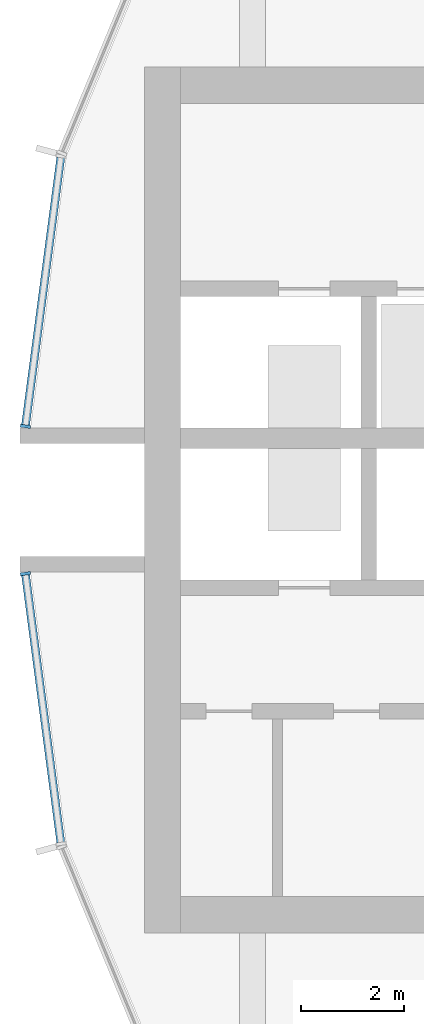
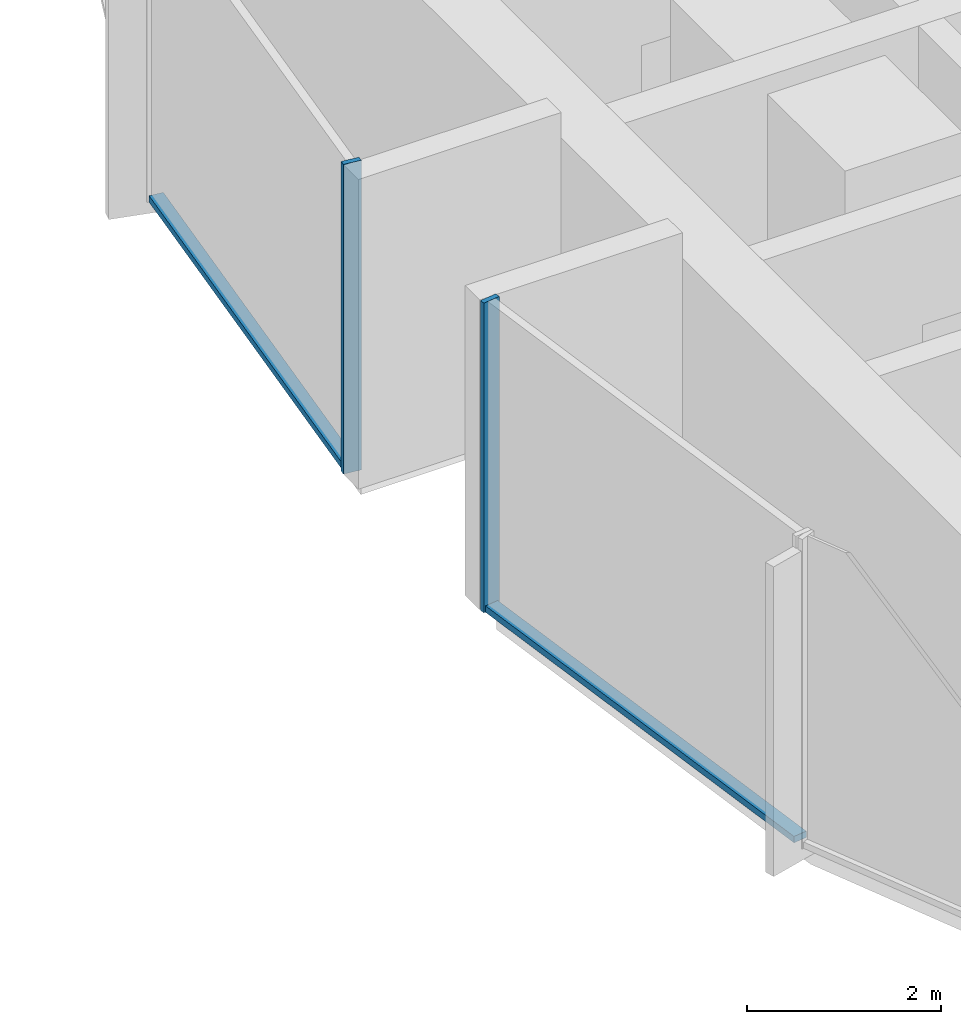
# One storey, part 3 of 15: 4 members, 2 elements without a shape of their own.
"""IFC4 building model written with IfcOpenShell, lengths in metres."""

from ifc_helpers import new_model, si_unit, direction, frame, origin, origin_2d, place, context, subcontext, project, spatial, rectangle, extrude, material, layer, layer_set, material_profile, profile_set, type_object, element, aggregate, save


model = new_model("IFC4")

# Units and contexts
model_context = context("Model", 3, precision=1e-05, world=origin(), true_north=direction((0.0, 1.0)))
body_context = subcontext(model_context, "Body", "Model", "MODEL_VIEW")
ifc_project = project(units=[si_unit("LENGTHUNIT", "METRE"), si_unit("AREAUNIT", "SQUARE_METRE"), si_unit("VOLUMEUNIT", "CUBIC_METRE"), si_unit("PLANEANGLEUNIT", "RADIAN"), si_unit("MASSUNIT", "GRAM", prefix="KILO")], contexts=[model_context])

# Site, building, storey
site_placement = place(None, origin())
site = spatial("IfcSite", under=ifc_project, at=site_placement, CompositionType="ELEMENT")
building_placement = place(site_placement, origin())
building = spatial("IfcBuilding", under=site, at=building_placement, Name="Torre Brocal", CompositionType="ELEMENT")
storey_placement = place(building_placement, frame((0.0, 0.0, 141.89990234375)))
storey = spatial("IfcBuildingStorey", under=building, at=storey_placement, Name="L33", CompositionType="ELEMENT", Elevation=141.89990234375)

# Curtain wall, member
ifc_material_1 = material(Name="Aluminium and glass", Category="aluminium")
ifc_layer = layer(ifc_material_1, 0.199951171875)
ifc_layer_set = layer_set([ifc_layer], Name="Aluminium and glass")
curtain_wall_type = type_object("IfcCurtainWallType", Name="CW-1B CURTAIN WALL 3900 HIGH", PredefinedType="NOTDEFINED", material=ifc_layer_set)
curtain_wall_1_placement = place(storey_placement, origin())
curtain_wall_1 = element("IfcCurtainWall", 1, at=curtain_wall_1_placement, inside=storey, type_object=curtain_wall_type, Name="CW-1B RUN 12", PredefinedType="NOTDEFINED")
ifc_material_2 = material(Name="Aluminium, dark anodised", Category="aluminium")
ifc_material_profile_1 = material_profile(ifc_material_2, rectangle(XDim=0.199951171875, YDim=0.06005859375, at=origin_2d()), Name="CW-1B MULLION 60X200")
ifc_profile_set_1 = profile_set([ifc_material_profile_1], Name="Aluminium, dark anodised")
member_type_1 = type_object("IfcMemberType", Name="CW-1B MULLION 60X200", PredefinedType="MULLION", material=ifc_profile_set_1)
member_1_placement = place(storey_placement, frame((54.2890625, 76.4296875, 0.0), z_axis=(0.0, 0.0, 1.0), x_axis=(0.991444861374, -0.13052619222, 0.0)))
member_1 = element("IfcMember", 2, at=member_1_placement, type_object=member_type_1, Name="CW1B-3 mullion 2", PredefinedType="MULLION", context=body_context, shape_type="SweptSolid", body=[
    extrude(rectangle(XDim=0.199951171875, YDim=0.06005859375, at=origin_2d()), origin(), (0.0, 0.0, 1.0), 3.900146484375),
])

curtain_wall_2_placement = place(storey_placement, origin())
curtain_wall_2 = element("IfcCurtainWall", 3, at=curtain_wall_2_placement, inside=storey, type_object=curtain_wall_type, Name="CW-1B RUN 13", PredefinedType="NOTDEFINED")
member_2_placement = place(storey_placement, frame((54.2890625, 73.5703125, 0.0), z_axis=(0.0, 0.0, 1.0), x_axis=(0.991444861374, 0.13052619222, 0.0)))
member_2 = element("IfcMember", 4, at=member_2_placement, type_object=member_type_1, Name="CW1B-3 mullion 1", PredefinedType="MULLION", context=body_context, shape_type="SweptSolid", body=[
    extrude(rectangle(XDim=0.199951171875, YDim=0.06005859375, at=origin_2d()), origin(), (0.0, 0.0, 1.0), 3.900146484375),
])

# Member
ifc_material_3 = material(Name="Aluminium, dark anodised", Category="aluminium")
ifc_material_profile_2 = material_profile(ifc_material_3, rectangle(XDim=0.159912109375, YDim=0.080078125, at=origin_2d()), Name="CW-1B TRANSOM 160X80")
ifc_profile_set_2 = profile_set([ifc_material_profile_2], Name="Aluminium, dark anodised")
member_type_2 = type_object("IfcMemberType", Name="CW-1B TRANSOM 160X80", PredefinedType="USERDEFINED", material=ifc_profile_set_2)
member_3_placement = place(storey_placement, frame((54.9755859375, 81.643798828125, 0.0400390625), z_axis=(-0.130542677827, -0.991442690863, 0.0), x_axis=(0.991442690863, -0.130542677827, 0.0)))
member_3 = element("IfcMember", 5, at=member_3_placement, type_object=member_type_2, Name="CW1B-3 transom 1.1", ObjectType="TRANSOM", PredefinedType="USERDEFINED", context=body_context, shape_type="SweptSolid", body=[
    extrude(rectangle(XDim=0.159912109375, YDim=0.080078125, at=origin_2d()), origin(), (0.0, 0.0, 1.0), 5.22900390625),
])

aggregate(curtain_wall_1, [member_1, member_3])

member_4_placement = place(storey_placement, frame((54.29296875, 73.54052734375, 0.0400390625), z_axis=(0.130542677827, -0.991442690863, 0.0), x_axis=(0.991442690863, 0.130542677827, 0.0)))
member_4 = element("IfcMember", 6, at=member_4_placement, type_object=member_type_2, Name="CW1B-3 transom 1.1", ObjectType="TRANSOM", PredefinedType="USERDEFINED", context=body_context, shape_type="SweptSolid", body=[
    extrude(rectangle(XDim=0.159912109375, YDim=0.080078125, at=origin_2d()), origin(), (0.0, 0.0, 1.0), 5.22900390625),
])

aggregate(curtain_wall_2, [member_2, member_4])

save(model, "model.ifc")
